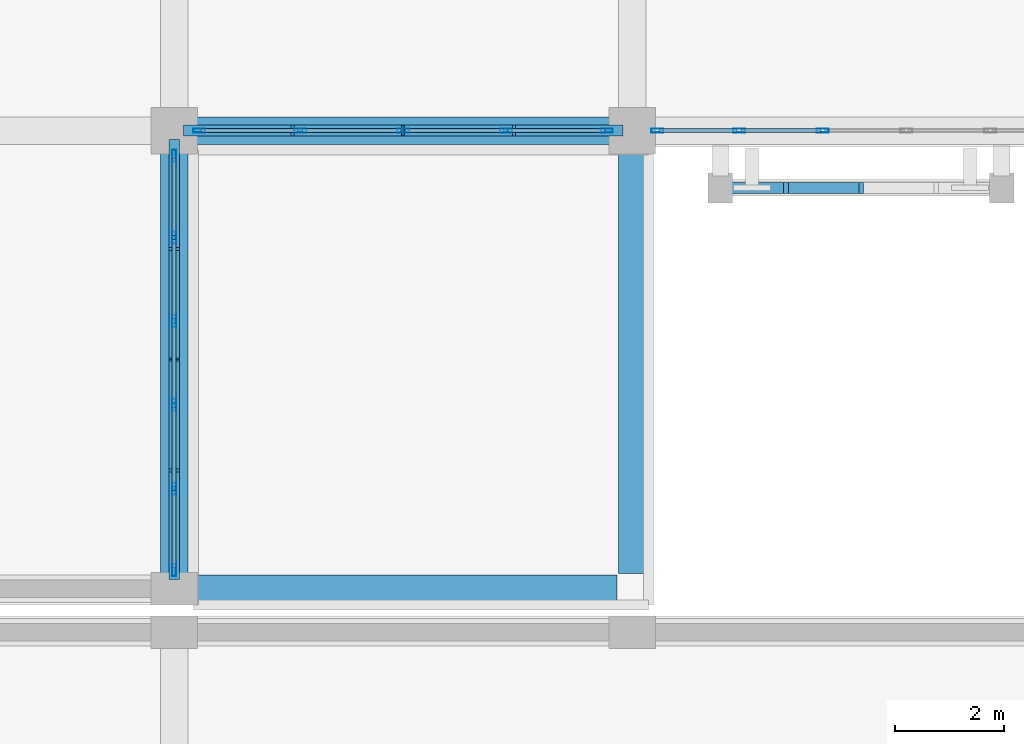
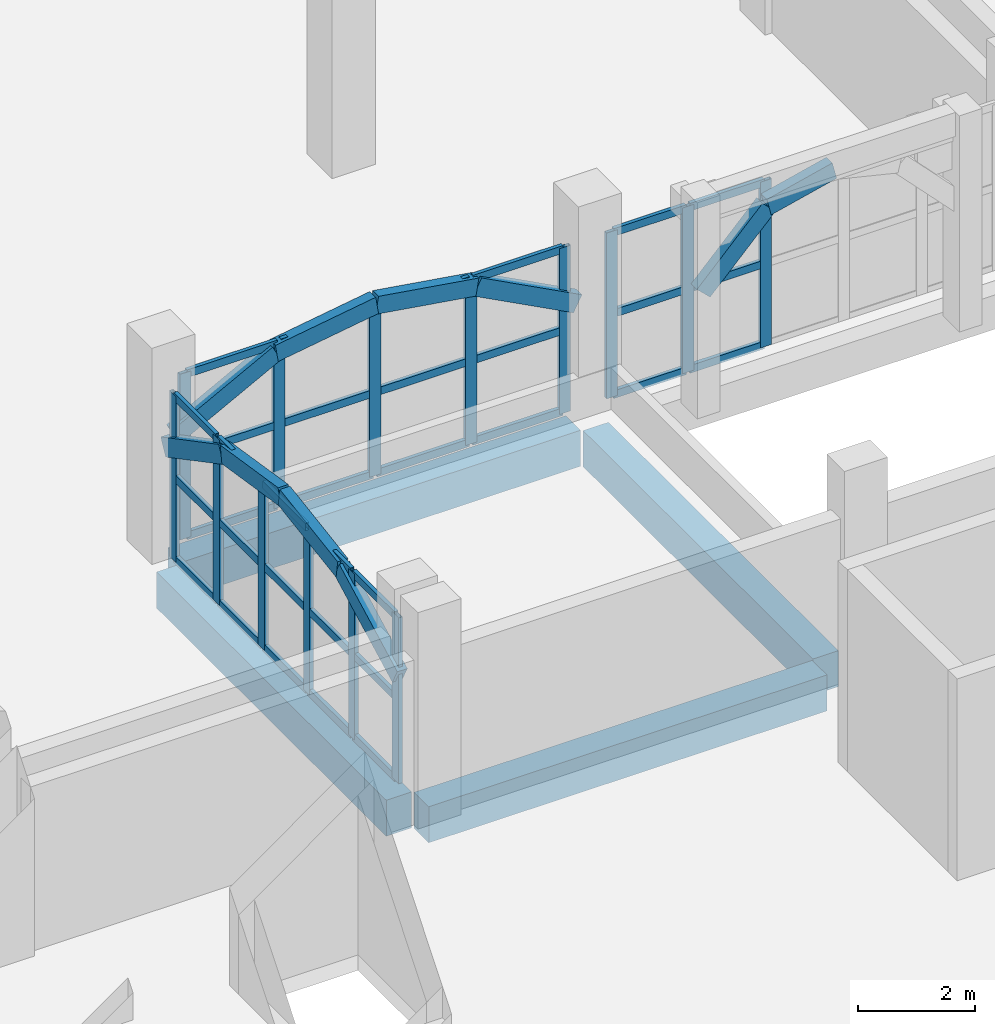
# One storey, part 29 of 137: 57 members, 4 beams, 3 elements without a shape of their own.
"""IFC4 building model written with IfcOpenShell, lengths in metres."""

from ifc_helpers import new_model, si_unit, direction, frame, origin, origin_2d, place, context, subcontext, project, spatial, rectangle, hollow_rectangle, extrude, material, layer, layer_set, material_profile, profile_set, type_object, element, aggregate, save


model = new_model("IFC4")

# Units and contexts
model_context = context("Model", 3, precision=1e-05, world=origin(), true_north=direction((0.0, 1.0)))
body_context = subcontext(model_context, "Body", "Model", "MODEL_VIEW")
ifc_project = project(units=[si_unit("LENGTHUNIT", "METRE"), si_unit("AREAUNIT", "SQUARE_METRE"), si_unit("VOLUMEUNIT", "CUBIC_METRE"), si_unit("PLANEANGLEUNIT", "RADIAN"), si_unit("MASSUNIT", "GRAM", prefix="KILO")], contexts=[model_context])

# Site, building, storey
site_placement = place(None, origin())
site = spatial("IfcSite", under=ifc_project, at=site_placement, CompositionType="ELEMENT")
building_placement = place(site_placement, origin())
building = spatial("IfcBuilding", under=site, at=building_placement, Name="Xazarin Passage Department Store", CompositionType="ELEMENT")
storey_placement = place(building_placement, frame((0.0, 0.0, 5.39990234375)))
storey = spatial("IfcBuildingStorey", under=building, at=storey_placement, Name="L01", CompositionType="ELEMENT", Elevation=5.39990234375)

# Curtain wall, members
ifc_material_1 = material(Name="Bronze anodised aluminium", Category="aluminium")
ifc_layer = layer(ifc_material_1, 0.179931640625)
ifc_layer_set = layer_set([ifc_layer], Name="Bronze anodised aluminium")
curtain_wall_type = type_object("IfcCurtainWallType", Name="ARC-CW-VIT1", PredefinedType="NOTDEFINED", material=ifc_layer_set)
curtain_wall_1_placement = place(storey_placement, origin())
curtain_wall_1 = element("IfcCurtainWall", 1, at=curtain_wall_1_placement, inside=storey, type_object=curtain_wall_type, Name="L01 V1 Curtain Wall 008", PredefinedType="NOTDEFINED")
ifc_material_profile_1 = material_profile(ifc_material_1, hollow_rectangle(XDim=0.074951171875, YDim=0.219970703125, WallThickness=0.0048828125, at=origin_2d()), Name="ALU 75x220")
ifc_profile_set_1 = profile_set([ifc_material_profile_1], Name="Bronze anodised aluminium")
member_type_1 = type_object("IfcMemberType", Name="ARC-CWM-75x220", PredefinedType="MULLION", material=ifc_profile_set_1)
member_1_placement = place(storey_placement, frame((50.862548828125, 59.60009765625, 0.0), z_axis=(0.0, 0.0, 1.0), x_axis=(0.0, 1.0, 0.0)))
member_1 = element("IfcMember", 2, at=member_1_placement, type_object=member_type_1, Name="CW1 mullion 1", PredefinedType="MULLION", context=body_context, shape_type="SweptSolid", body=[
    extrude(hollow_rectangle(XDim=0.074951171875, YDim=0.219970703125, WallThickness=0.0048828125, at=origin_2d()), origin(), (0.0, 0.0, 1.0), 3.4501953125),
])
member_2_placement = place(storey_placement, frame((52.71240234375, 59.60009765625, 0.0), z_axis=(0.0, 0.0, 1.0), x_axis=(0.0, 1.0, 0.0)))
member_2 = element("IfcMember", 3, at=member_2_placement, type_object=member_type_1, Name="CW1 mullion 2", PredefinedType="MULLION", context=body_context, shape_type="SweptSolid", body=[
    extrude(hollow_rectangle(XDim=0.074951171875, YDim=0.219970703125, WallThickness=0.0048828125, at=origin_2d()), origin(), (0.0, 0.0, 1.0), 3.4501953125),
])
member_3_placement = place(storey_placement, frame((54.60009765625, 59.60009765625, 0.0), z_axis=(0.0, 0.0, 1.0), x_axis=(0.0, 1.0, 0.0)))
member_3 = element("IfcMember", 4, at=member_3_placement, type_object=member_type_1, Name="CW1 mullion 3", PredefinedType="MULLION", context=body_context, shape_type="SweptSolid", body=[
    extrude(hollow_rectangle(XDim=0.074951171875, YDim=0.219970703125, WallThickness=0.0048828125, at=origin_2d()), origin(), (0.0, 0.0, 1.0), 3.4501953125),
])
member_4_placement = place(storey_placement, frame((56.487548828125, 59.60009765625, 0.0), z_axis=(0.0, 0.0, 1.0), x_axis=(0.0, 1.0, 0.0)))
member_4 = element("IfcMember", 5, at=member_4_placement, type_object=member_type_1, Name="CW1 mullion 4", PredefinedType="MULLION", context=body_context, shape_type="SweptSolid", body=[
    extrude(hollow_rectangle(XDim=0.074951171875, YDim=0.219970703125, WallThickness=0.0048828125, at=origin_2d()), origin(), (0.0, 0.0, 1.0), 3.4501953125),
])
member_5_placement = place(storey_placement, frame((58.33740234375, 59.60009765625, 0.0), z_axis=(0.0, 0.0, 1.0), x_axis=(0.0, 1.0, 0.0)))
member_5 = element("IfcMember", 6, at=member_5_placement, type_object=member_type_1, Name="CW1 mullion 5", PredefinedType="MULLION", context=body_context, shape_type="SweptSolid", body=[
    extrude(hollow_rectangle(XDim=0.074951171875, YDim=0.219970703125, WallThickness=0.0048828125, at=origin_2d()), origin(), (0.0, 0.0, 1.0), 3.4501953125),
])

curtain_wall_2_placement = place(storey_placement, origin())
curtain_wall_2 = element("IfcCurtainWall", 7, at=curtain_wall_2_placement, inside=storey, type_object=curtain_wall_type, Name="L01 V1 Curtain Wall 009", PredefinedType="NOTDEFINED")
member_6_placement = place(storey_placement, frame((59.262451171875, 59.60009765625, 0.0), z_axis=(0.0, 0.0, 1.0), x_axis=(0.0, 1.0, 0.0)))
member_6 = element("IfcMember", 8, at=member_6_placement, type_object=member_type_1, Name="CW1 mullion 1", PredefinedType="MULLION", context=body_context, shape_type="SweptSolid", body=[
    extrude(hollow_rectangle(XDim=0.074951171875, YDim=0.219970703125, WallThickness=0.0048828125, at=origin_2d()), origin(), (0.0, 0.0, 1.0), 3.4501953125),
])
member_7_placement = place(storey_placement, frame((60.760009765625, 59.60009765625, 0.0), z_axis=(0.0, 0.0, 1.0), x_axis=(0.0, 1.0, 0.0)))
member_7 = element("IfcMember", 9, at=member_7_placement, type_object=member_type_1, Name="CW1 mullion 2", PredefinedType="MULLION", context=body_context, shape_type="SweptSolid", body=[
    extrude(hollow_rectangle(XDim=0.074951171875, YDim=0.219970703125, WallThickness=0.0048828125, at=origin_2d()), origin(), (0.0, 0.0, 1.0), 3.4501953125),
])
member_8_placement = place(storey_placement, frame((62.294921875, 59.60009765625, 0.0), z_axis=(0.0, 0.0, 1.0), x_axis=(0.0, 1.0, 0.0)))
member_8 = element("IfcMember", 10, at=member_8_placement, type_object=member_type_1, Name="CW1 mullion 3", PredefinedType="MULLION", context=body_context, shape_type="SweptSolid", body=[
    extrude(hollow_rectangle(XDim=0.074951171875, YDim=0.219970703125, WallThickness=0.0048828125, at=origin_2d()), origin(), (0.0, 0.0, 1.0), 3.4501953125),
])

curtain_wall_3_placement = place(storey_placement, origin())
curtain_wall_3 = element("IfcCurtainWall", 11, at=curtain_wall_3_placement, inside=storey, type_object=curtain_wall_type, Name="L01 V1 Curtain Wall 025", PredefinedType="NOTDEFINED")
member_9_placement = place(storey_placement, frame((50.39990234375, 51.53759765625, 0.0), z_axis=(0.0, 0.0, 1.0), x_axis=(-1.0, 0.0, 0.0)))
member_9 = element("IfcMember", 12, at=member_9_placement, type_object=member_type_1, Name="CW1 mullion 1", PredefinedType="MULLION", context=body_context, shape_type="SweptSolid", body=[
    extrude(hollow_rectangle(XDim=0.074951171875, YDim=0.219970703125, WallThickness=0.0048828125, at=origin_2d()), origin(), (0.0, 0.0, 1.0), 3.4501953125),
])
member_10_placement = place(storey_placement, frame((50.39990234375, 53.034912109375, 0.0), z_axis=(0.0, 0.0, 1.0), x_axis=(-1.0, 0.0, 0.0)))
member_10 = element("IfcMember", 13, at=member_10_placement, type_object=member_type_1, Name="CW1 mullion 2", PredefinedType="MULLION", context=body_context, shape_type="SweptSolid", body=[
    extrude(hollow_rectangle(XDim=0.074951171875, YDim=0.219970703125, WallThickness=0.0048828125, at=origin_2d()), origin(), (0.0, 0.0, 1.0), 3.4501953125),
])
member_11_placement = place(storey_placement, frame((50.39990234375, 54.570068359375, 0.0), z_axis=(0.0, 0.0, 1.0), x_axis=(-1.0, 0.0, 0.0)))
member_11 = element("IfcMember", 14, at=member_11_placement, type_object=member_type_1, Name="CW1 mullion 3", PredefinedType="MULLION", context=body_context, shape_type="SweptSolid", body=[
    extrude(hollow_rectangle(XDim=0.074951171875, YDim=0.219970703125, WallThickness=0.0048828125, at=origin_2d()), origin(), (0.0, 0.0, 1.0), 3.4501953125),
])
member_12_placement = place(storey_placement, frame((50.39990234375, 56.10498046875, 0.0), z_axis=(0.0, 0.0, 1.0), x_axis=(-1.0, 0.0, 0.0)))
member_12 = element("IfcMember", 15, at=member_12_placement, type_object=member_type_1, Name="CW1 mullion 4", PredefinedType="MULLION", context=body_context, shape_type="SweptSolid", body=[
    extrude(hollow_rectangle(XDim=0.074951171875, YDim=0.219970703125, WallThickness=0.0048828125, at=origin_2d()), origin(), (0.0, 0.0, 1.0), 3.4501953125),
])
member_13_placement = place(storey_placement, frame((50.39990234375, 57.639892578125, 0.0), z_axis=(0.0, 0.0, 1.0), x_axis=(-1.0, 0.0, 0.0)))
member_13 = element("IfcMember", 16, at=member_13_placement, type_object=member_type_1, Name="CW1 mullion 5", PredefinedType="MULLION", context=body_context, shape_type="SweptSolid", body=[
    extrude(hollow_rectangle(XDim=0.074951171875, YDim=0.219970703125, WallThickness=0.0048828125, at=origin_2d()), origin(), (0.0, 0.0, 1.0), 3.4501953125),
])
member_14_placement = place(storey_placement, frame((50.39990234375, 59.137451171875, 0.0), z_axis=(0.0, 0.0, 1.0), x_axis=(-1.0, 0.0, 0.0)))
member_14 = element("IfcMember", 17, at=member_14_placement, type_object=member_type_1, Name="CW1 mullion 6", PredefinedType="MULLION", context=body_context, shape_type="SweptSolid", body=[
    extrude(hollow_rectangle(XDim=0.074951171875, YDim=0.219970703125, WallThickness=0.0048828125, at=origin_2d()), origin(), (0.0, 0.0, 1.0), 3.4501953125),
])

# Member
ifc_material_profile_2 = material_profile(ifc_material_1, hollow_rectangle(XDim=0.074951171875, YDim=0.159912109375, WallThickness=0.00439453125, at=origin_2d()), Name="ALU 75x160")
ifc_profile_set_2 = profile_set([ifc_material_profile_2], Name="Bronze anodised aluminium")
member_type_2 = type_object("IfcMemberType", Name="ARC-CWT-75x160", PredefinedType="USERDEFINED", material=ifc_profile_set_2)
member_15_placement = place(storey_placement, frame((50.89990234375, 59.60009765625, 0.03759765625), z_axis=(1.0, 0.0, 0.0), x_axis=(0.0, 1.0, 0.0)))
member_15 = element("IfcMember", 18, at=member_15_placement, type_object=member_type_2, Name="CW1 transom 1.1", ObjectType="TRANSOM", PredefinedType="USERDEFINED", context=body_context, shape_type="SweptSolid", body=[
    extrude(hollow_rectangle(XDim=0.074951171875, YDim=0.159912109375, WallThickness=0.00439453125, at=origin_2d()), origin(), (0.0, 0.0, 1.0), 1.775146484375),
])

member_16_placement = place(storey_placement, frame((50.89990234375, 59.60009765625, 1.72509765625), z_axis=(1.0, 0.0, 0.0), x_axis=(0.0, 1.0, 0.0)))
member_16 = element("IfcMember", 19, at=member_16_placement, type_object=member_type_2, Name="CW1 transom 1.2", ObjectType="TRANSOM", PredefinedType="USERDEFINED", context=body_context, shape_type="SweptSolid", body=[
    extrude(hollow_rectangle(XDim=0.074951171875, YDim=0.159912109375, WallThickness=0.00439453125, at=origin_2d()), origin(), (0.0, 0.0, 1.0), 1.775146484375),
])

member_17_placement = place(storey_placement, frame((50.89990234375, 59.60009765625, 3.41259765625), z_axis=(1.0, 0.0, 0.0), x_axis=(0.0, 1.0, 0.0)))
member_17 = element("IfcMember", 20, at=member_17_placement, type_object=member_type_2, Name="CW1 transom 1.3", ObjectType="TRANSOM", PredefinedType="USERDEFINED", context=body_context, shape_type="SweptSolid", body=[
    extrude(hollow_rectangle(XDim=0.074951171875, YDim=0.159912109375, WallThickness=0.00439453125, at=origin_2d()), origin(), (0.0, 0.0, 1.0), 1.775146484375),
])

member_18_placement = place(storey_placement, frame((52.75, 59.60009765625, 0.03759765625), z_axis=(1.0, 0.0, 0.0), x_axis=(0.0, 1.0, 0.0)))
member_18 = element("IfcMember", 21, at=member_18_placement, type_object=member_type_2, Name="CW1 transom 2.1", ObjectType="TRANSOM", PredefinedType="USERDEFINED", context=body_context, shape_type="SweptSolid", body=[
    extrude(hollow_rectangle(XDim=0.074951171875, YDim=0.159912109375, WallThickness=0.00439453125, at=origin_2d()), origin(), (0.0, 0.0, 1.0), 1.8125),
])

member_19_placement = place(storey_placement, frame((52.75, 59.60009765625, 1.72509765625), z_axis=(1.0, 0.0, 0.0), x_axis=(0.0, 1.0, 0.0)))
member_19 = element("IfcMember", 22, at=member_19_placement, type_object=member_type_2, Name="CW1 transom 2.2", ObjectType="TRANSOM", PredefinedType="USERDEFINED", context=body_context, shape_type="SweptSolid", body=[
    extrude(hollow_rectangle(XDim=0.074951171875, YDim=0.159912109375, WallThickness=0.00439453125, at=origin_2d()), origin(), (0.0, 0.0, 1.0), 1.8125),
])

member_20_placement = place(storey_placement, frame((52.75, 59.60009765625, 3.41259765625), z_axis=(1.0, 0.0, 0.0), x_axis=(0.0, 1.0, 0.0)))
member_20 = element("IfcMember", 23, at=member_20_placement, type_object=member_type_2, Name="CW1 transom 2.3", ObjectType="TRANSOM", PredefinedType="USERDEFINED", context=body_context, shape_type="SweptSolid", body=[
    extrude(hollow_rectangle(XDim=0.074951171875, YDim=0.159912109375, WallThickness=0.00439453125, at=origin_2d()), origin(), (0.0, 0.0, 1.0), 1.8125),
])

member_21_placement = place(storey_placement, frame((54.637451171875, 59.60009765625, 0.03759765625), z_axis=(1.0, 0.0, 0.0), x_axis=(0.0, 1.0, 0.0)))
member_21 = element("IfcMember", 24, at=member_21_placement, type_object=member_type_2, Name="CW1 transom 3.1", ObjectType="TRANSOM", PredefinedType="USERDEFINED", context=body_context, shape_type="SweptSolid", body=[
    extrude(hollow_rectangle(XDim=0.074951171875, YDim=0.159912109375, WallThickness=0.00439453125, at=origin_2d()), origin(), (0.0, 0.0, 1.0), 1.8125),
])

member_22_placement = place(storey_placement, frame((54.637451171875, 59.60009765625, 1.72509765625), z_axis=(1.0, 0.0, 0.0), x_axis=(0.0, 1.0, 0.0)))
member_22 = element("IfcMember", 25, at=member_22_placement, type_object=member_type_2, Name="CW1 transom 3.2", ObjectType="TRANSOM", PredefinedType="USERDEFINED", context=body_context, shape_type="SweptSolid", body=[
    extrude(hollow_rectangle(XDim=0.074951171875, YDim=0.159912109375, WallThickness=0.00439453125, at=origin_2d()), origin(), (0.0, 0.0, 1.0), 1.8125),
])

member_23_placement = place(storey_placement, frame((54.637451171875, 59.60009765625, 3.41259765625), z_axis=(1.0, 0.0, 0.0), x_axis=(0.0, 1.0, 0.0)))
member_23 = element("IfcMember", 26, at=member_23_placement, type_object=member_type_2, Name="CW1 transom 3.3", ObjectType="TRANSOM", PredefinedType="USERDEFINED", context=body_context, shape_type="SweptSolid", body=[
    extrude(hollow_rectangle(XDim=0.074951171875, YDim=0.159912109375, WallThickness=0.00439453125, at=origin_2d()), origin(), (0.0, 0.0, 1.0), 1.8125),
])

member_24_placement = place(storey_placement, frame((56.52490234375, 59.60009765625, 0.03759765625), z_axis=(1.0, 0.0, 0.0), x_axis=(0.0, 1.0, 0.0)))
member_24 = element("IfcMember", 27, at=member_24_placement, type_object=member_type_2, Name="CW1 transom 4.1", ObjectType="TRANSOM", PredefinedType="USERDEFINED", context=body_context, shape_type="SweptSolid", body=[
    extrude(hollow_rectangle(XDim=0.074951171875, YDim=0.159912109375, WallThickness=0.00439453125, at=origin_2d()), origin(), (0.0, 0.0, 1.0), 1.775146484375),
])

member_25_placement = place(storey_placement, frame((56.52490234375, 59.60009765625, 1.72509765625), z_axis=(1.0, 0.0, 0.0), x_axis=(0.0, 1.0, 0.0)))
member_25 = element("IfcMember", 28, at=member_25_placement, type_object=member_type_2, Name="CW1 transom 4.2", ObjectType="TRANSOM", PredefinedType="USERDEFINED", context=body_context, shape_type="SweptSolid", body=[
    extrude(hollow_rectangle(XDim=0.074951171875, YDim=0.159912109375, WallThickness=0.00439453125, at=origin_2d()), origin(), (0.0, 0.0, 1.0), 1.775146484375),
])

member_26_placement = place(storey_placement, frame((56.52490234375, 59.60009765625, 3.41259765625), z_axis=(1.0, 0.0, 0.0), x_axis=(0.0, 1.0, 0.0)))
member_26 = element("IfcMember", 29, at=member_26_placement, type_object=member_type_2, Name="CW1 transom 4.3", ObjectType="TRANSOM", PredefinedType="USERDEFINED", context=body_context, shape_type="SweptSolid", body=[
    extrude(hollow_rectangle(XDim=0.074951171875, YDim=0.159912109375, WallThickness=0.00439453125, at=origin_2d()), origin(), (0.0, 0.0, 1.0), 1.775146484375),
])

aggregate(curtain_wall_1, [member_1, member_2, member_3, member_4, member_5, member_15, member_16, member_17, member_18, member_19, member_20, member_21, member_22, member_23, member_24, member_25, member_26])

member_27_placement = place(storey_placement, frame((59.300048828125, 59.60009765625, 0.03759765625), z_axis=(1.0, 0.0, 0.0), x_axis=(0.0, 1.0, 0.0)))
member_27 = element("IfcMember", 30, at=member_27_placement, type_object=member_type_2, Name="CW1 transom 1.1", ObjectType="TRANSOM", PredefinedType="USERDEFINED", context=body_context, shape_type="SweptSolid", body=[
    extrude(hollow_rectangle(XDim=0.074951171875, YDim=0.159912109375, WallThickness=0.00439453125, at=origin_2d()), origin(), (0.0, 0.0, 1.0), 1.42236328125),
])

member_28_placement = place(storey_placement, frame((59.300048828125, 59.60009765625, 1.72509765625), z_axis=(1.0, 0.0, 0.0), x_axis=(0.0, 1.0, 0.0)))
member_28 = element("IfcMember", 31, at=member_28_placement, type_object=member_type_2, Name="CW1 transom 1.2", ObjectType="TRANSOM", PredefinedType="USERDEFINED", context=body_context, shape_type="SweptSolid", body=[
    extrude(hollow_rectangle(XDim=0.074951171875, YDim=0.159912109375, WallThickness=0.00439453125, at=origin_2d()), origin(), (0.0, 0.0, 1.0), 1.42236328125),
])

member_29_placement = place(storey_placement, frame((59.300048828125, 59.60009765625, 3.41259765625), z_axis=(1.0, 0.0, 0.0), x_axis=(0.0, 1.0, 0.0)))
member_29 = element("IfcMember", 32, at=member_29_placement, type_object=member_type_2, Name="CW1 transom 1.3", ObjectType="TRANSOM", PredefinedType="USERDEFINED", context=body_context, shape_type="SweptSolid", body=[
    extrude(hollow_rectangle(XDim=0.074951171875, YDim=0.159912109375, WallThickness=0.00439453125, at=origin_2d()), origin(), (0.0, 0.0, 1.0), 1.42236328125),
])

member_30_placement = place(storey_placement, frame((60.797607421875, 59.60009765625, 0.03759765625), z_axis=(1.0, 0.0, 0.0), x_axis=(0.0, 1.0, 0.0)))
member_30 = element("IfcMember", 33, at=member_30_placement, type_object=member_type_2, Name="CW1 transom 2.1", ObjectType="TRANSOM", PredefinedType="USERDEFINED", context=body_context, shape_type="SweptSolid", body=[
    extrude(hollow_rectangle(XDim=0.074951171875, YDim=0.159912109375, WallThickness=0.00439453125, at=origin_2d()), origin(), (0.0, 0.0, 1.0), 1.4599609375),
])

member_31_placement = place(storey_placement, frame((60.797607421875, 59.60009765625, 1.72509765625), z_axis=(1.0, 0.0, 0.0), x_axis=(0.0, 1.0, 0.0)))
member_31 = element("IfcMember", 34, at=member_31_placement, type_object=member_type_2, Name="CW1 transom 2.2", ObjectType="TRANSOM", PredefinedType="USERDEFINED", context=body_context, shape_type="SweptSolid", body=[
    extrude(hollow_rectangle(XDim=0.074951171875, YDim=0.159912109375, WallThickness=0.00439453125, at=origin_2d()), origin(), (0.0, 0.0, 1.0), 1.4599609375),
])

member_32_placement = place(storey_placement, frame((60.797607421875, 59.60009765625, 3.41259765625), z_axis=(1.0, 0.0, 0.0), x_axis=(0.0, 1.0, 0.0)))
member_32 = element("IfcMember", 35, at=member_32_placement, type_object=member_type_2, Name="CW1 transom 2.3", ObjectType="TRANSOM", PredefinedType="USERDEFINED", context=body_context, shape_type="SweptSolid", body=[
    extrude(hollow_rectangle(XDim=0.074951171875, YDim=0.159912109375, WallThickness=0.00439453125, at=origin_2d()), origin(), (0.0, 0.0, 1.0), 1.4599609375),
])

aggregate(curtain_wall_2, [member_6, member_7, member_8, member_27, member_28, member_29, member_30, member_31, member_32])

member_33_placement = place(storey_placement, frame((50.39990234375, 51.574951171875, 0.03759765625), z_axis=(0.0, 1.0, 0.0), x_axis=(-1.0, 0.0, 0.0)))
member_33 = element("IfcMember", 36, at=member_33_placement, type_object=member_type_2, Name="CW1 transom 1.1", ObjectType="TRANSOM", PredefinedType="USERDEFINED", context=body_context, shape_type="SweptSolid", body=[
    extrude(hollow_rectangle(XDim=0.074951171875, YDim=0.159912109375, WallThickness=0.00439453125, at=origin_2d()), origin(), (0.0, 0.0, 1.0), 1.422607421875),
])

member_34_placement = place(storey_placement, frame((50.39990234375, 51.574951171875, 1.72509765625), z_axis=(0.0, 1.0, 0.0), x_axis=(-1.0, 0.0, 0.0)))
member_34 = element("IfcMember", 37, at=member_34_placement, type_object=member_type_2, Name="CW1 transom 1.2", ObjectType="TRANSOM", PredefinedType="USERDEFINED", context=body_context, shape_type="SweptSolid", body=[
    extrude(hollow_rectangle(XDim=0.074951171875, YDim=0.159912109375, WallThickness=0.00439453125, at=origin_2d()), origin(), (0.0, 0.0, 1.0), 1.422607421875),
])

member_35_placement = place(storey_placement, frame((50.39990234375, 51.574951171875, 3.41259765625), z_axis=(0.0, 1.0, 0.0), x_axis=(-1.0, 0.0, 0.0)))
member_35 = element("IfcMember", 38, at=member_35_placement, type_object=member_type_2, Name="CW1 transom 1.3", ObjectType="TRANSOM", PredefinedType="USERDEFINED", context=body_context, shape_type="SweptSolid", body=[
    extrude(hollow_rectangle(XDim=0.074951171875, YDim=0.159912109375, WallThickness=0.00439453125, at=origin_2d()), origin(), (0.0, 0.0, 1.0), 1.422607421875),
])

member_36_placement = place(storey_placement, frame((50.39990234375, 53.072509765625, 0.03759765625), z_axis=(0.0, 1.0, 0.0), x_axis=(-1.0, 0.0, 0.0)))
member_36 = element("IfcMember", 39, at=member_36_placement, type_object=member_type_2, Name="CW1 transom 2.1", ObjectType="TRANSOM", PredefinedType="USERDEFINED", context=body_context, shape_type="SweptSolid", body=[
    extrude(hollow_rectangle(XDim=0.074951171875, YDim=0.159912109375, WallThickness=0.00439453125, at=origin_2d()), origin(), (0.0, 0.0, 1.0), 1.4599609375),
])

member_37_placement = place(storey_placement, frame((50.39990234375, 53.072509765625, 1.72509765625), z_axis=(0.0, 1.0, 0.0), x_axis=(-1.0, 0.0, 0.0)))
member_37 = element("IfcMember", 40, at=member_37_placement, type_object=member_type_2, Name="CW1 transom 2.2", ObjectType="TRANSOM", PredefinedType="USERDEFINED", context=body_context, shape_type="SweptSolid", body=[
    extrude(hollow_rectangle(XDim=0.074951171875, YDim=0.159912109375, WallThickness=0.00439453125, at=origin_2d()), origin(), (0.0, 0.0, 1.0), 1.4599609375),
])

member_38_placement = place(storey_placement, frame((50.39990234375, 53.072509765625, 3.41259765625), z_axis=(0.0, 1.0, 0.0), x_axis=(-1.0, 0.0, 0.0)))
member_38 = element("IfcMember", 41, at=member_38_placement, type_object=member_type_2, Name="CW1 transom 2.3", ObjectType="TRANSOM", PredefinedType="USERDEFINED", context=body_context, shape_type="SweptSolid", body=[
    extrude(hollow_rectangle(XDim=0.074951171875, YDim=0.159912109375, WallThickness=0.00439453125, at=origin_2d()), origin(), (0.0, 0.0, 1.0), 1.4599609375),
])

member_39_placement = place(storey_placement, frame((50.39990234375, 54.607421875, 0.03759765625), z_axis=(0.0, 1.0, 0.0), x_axis=(-1.0, 0.0, 0.0)))
member_39 = element("IfcMember", 42, at=member_39_placement, type_object=member_type_2, Name="CW1 transom 3.1", ObjectType="TRANSOM", PredefinedType="USERDEFINED", context=body_context, shape_type="SweptSolid", body=[
    extrude(hollow_rectangle(XDim=0.074951171875, YDim=0.159912109375, WallThickness=0.00439453125, at=origin_2d()), origin(), (0.0, 0.0, 1.0), 1.4599609375),
])

member_40_placement = place(storey_placement, frame((50.39990234375, 54.607421875, 1.72509765625), z_axis=(0.0, 1.0, 0.0), x_axis=(-1.0, 0.0, 0.0)))
member_40 = element("IfcMember", 43, at=member_40_placement, type_object=member_type_2, Name="CW1 transom 3.2", ObjectType="TRANSOM", PredefinedType="USERDEFINED", context=body_context, shape_type="SweptSolid", body=[
    extrude(hollow_rectangle(XDim=0.074951171875, YDim=0.159912109375, WallThickness=0.00439453125, at=origin_2d()), origin(), (0.0, 0.0, 1.0), 1.4599609375),
])

member_41_placement = place(storey_placement, frame((50.39990234375, 54.607421875, 3.41259765625), z_axis=(0.0, 1.0, 0.0), x_axis=(-1.0, 0.0, 0.0)))
member_41 = element("IfcMember", 44, at=member_41_placement, type_object=member_type_2, Name="CW1 transom 3.3", ObjectType="TRANSOM", PredefinedType="USERDEFINED", context=body_context, shape_type="SweptSolid", body=[
    extrude(hollow_rectangle(XDim=0.074951171875, YDim=0.159912109375, WallThickness=0.00439453125, at=origin_2d()), origin(), (0.0, 0.0, 1.0), 1.4599609375),
])

member_42_placement = place(storey_placement, frame((50.39990234375, 56.142578125, 0.03759765625), z_axis=(0.0, 1.0, 0.0), x_axis=(-1.0, 0.0, 0.0)))
member_42 = element("IfcMember", 45, at=member_42_placement, type_object=member_type_2, Name="CW1 transom 4.1", ObjectType="TRANSOM", PredefinedType="USERDEFINED", context=body_context, shape_type="SweptSolid", body=[
    extrude(hollow_rectangle(XDim=0.074951171875, YDim=0.159912109375, WallThickness=0.00439453125, at=origin_2d()), origin(), (0.0, 0.0, 1.0), 1.4599609375),
])

member_43_placement = place(storey_placement, frame((50.39990234375, 56.142578125, 1.72509765625), z_axis=(0.0, 1.0, 0.0), x_axis=(-1.0, 0.0, 0.0)))
member_43 = element("IfcMember", 46, at=member_43_placement, type_object=member_type_2, Name="CW1 transom 4.2", ObjectType="TRANSOM", PredefinedType="USERDEFINED", context=body_context, shape_type="SweptSolid", body=[
    extrude(hollow_rectangle(XDim=0.074951171875, YDim=0.159912109375, WallThickness=0.00439453125, at=origin_2d()), origin(), (0.0, 0.0, 1.0), 1.4599609375),
])

member_44_placement = place(storey_placement, frame((50.39990234375, 56.142578125, 3.41259765625), z_axis=(0.0, 1.0, 0.0), x_axis=(-1.0, 0.0, 0.0)))
member_44 = element("IfcMember", 47, at=member_44_placement, type_object=member_type_2, Name="CW1 transom 4.3", ObjectType="TRANSOM", PredefinedType="USERDEFINED", context=body_context, shape_type="SweptSolid", body=[
    extrude(hollow_rectangle(XDim=0.074951171875, YDim=0.159912109375, WallThickness=0.00439453125, at=origin_2d()), origin(), (0.0, 0.0, 1.0), 1.4599609375),
])

member_45_placement = place(storey_placement, frame((50.39990234375, 57.677490234375, 0.03759765625), z_axis=(0.0, 1.0, 0.0), x_axis=(-1.0, 0.0, 0.0)))
member_45 = element("IfcMember", 48, at=member_45_placement, type_object=member_type_2, Name="CW1 transom 5.1", ObjectType="TRANSOM", PredefinedType="USERDEFINED", context=body_context, shape_type="SweptSolid", body=[
    extrude(hollow_rectangle(XDim=0.074951171875, YDim=0.159912109375, WallThickness=0.00439453125, at=origin_2d()), origin(), (0.0, 0.0, 1.0), 1.422607421875),
])

member_46_placement = place(storey_placement, frame((50.39990234375, 57.677490234375, 1.72509765625), z_axis=(0.0, 1.0, 0.0), x_axis=(-1.0, 0.0, 0.0)))
member_46 = element("IfcMember", 49, at=member_46_placement, type_object=member_type_2, Name="CW1 transom 5.2", ObjectType="TRANSOM", PredefinedType="USERDEFINED", context=body_context, shape_type="SweptSolid", body=[
    extrude(hollow_rectangle(XDim=0.074951171875, YDim=0.159912109375, WallThickness=0.00439453125, at=origin_2d()), origin(), (0.0, 0.0, 1.0), 1.422607421875),
])

member_47_placement = place(storey_placement, frame((50.39990234375, 57.677490234375, 3.41259765625), z_axis=(0.0, 1.0, 0.0), x_axis=(-1.0, 0.0, 0.0)))
member_47 = element("IfcMember", 50, at=member_47_placement, type_object=member_type_2, Name="CW1 transom 5.3", ObjectType="TRANSOM", PredefinedType="USERDEFINED", context=body_context, shape_type="SweptSolid", body=[
    extrude(hollow_rectangle(XDim=0.074951171875, YDim=0.159912109375, WallThickness=0.00439453125, at=origin_2d()), origin(), (0.0, 0.0, 1.0), 1.422607421875),
])

aggregate(curtain_wall_3, [member_9, member_10, member_11, member_12, member_13, member_14, member_33, member_34, member_35, member_36, member_37, member_38, member_39, member_40, member_41, member_42, member_43, member_44, member_45, member_46, member_47])

# Beams
ifc_material_2 = material(Name="Concrete C35/45", Category="concrete")
ifc_material_profile_3 = material_profile(ifc_material_2, rectangle(XDim=0.5, YDim=0.75, at=origin_2d()), Name="RC 500x750")
ifc_profile_set_3 = profile_set([ifc_material_profile_3], Name="Concrete C35/45")
beam_type = type_object("IfcBeamType", Name="STR-BM-SP500x750", PredefinedType="SPANDREL", material=ifc_profile_set_3)
for number, where, z_axis, x_axis, name in (
    (51, (50.679931640625, 51.199951171875, -0.6748046875), (1.0, 0.0, 0.0), (0.0, 1.0, 0.0), "L01 Grid Beam H/7-8"),
    (52, (50.679931640625, 59.60009765625, -0.6748046875), (1.0, 0.0, 0.0), (0.0, 1.0, 0.0), "L01 Grid Beam J/7-8"),
    (53, (50.39990234375, 51.47998046875, -0.6748046875), (0.0, 1.0, 0.0), (-1.0, 0.0, 0.0), "L01 Grid Beam 7/H-J"),
    (54, (58.800048828125, 51.47998046875, -0.6748046875), (0.0, 1.0, 0.0), (-1.0, 0.0, 0.0), "L01 Grid Beam 8/H-J"),
):
    element("IfcBeam", number, at=place(storey_placement, frame(where, z_axis=z_axis, x_axis=x_axis)), inside=storey, type_object=beam_type, Name=name, PredefinedType="SPANDREL", context=body_context, shape_type="SweptSolid", body=[
        extrude(rectangle(XDim=0.5, YDim=0.75, at=origin_2d()), origin(), (0.0, 0.0, 1.0), 7.840087890625),
    ])

# Members
ifc_material_3 = material(Name="Concrete C40/50", Category="concrete")
ifc_material_profile_4 = material_profile(ifc_material_3, rectangle(XDim=0.199951171875, YDim=0.360107421875, at=origin_2d()), Name="RC 200x360")
ifc_profile_set_4 = profile_set([ifc_material_profile_4], Name="Concrete C40/50")
member_type_3 = type_object("IfcMemberType", Name="STR-MEM-ARC360", PredefinedType="CHORD", material=ifc_profile_set_4)
member_48_placement = place(storey_placement, frame((60.419921875, 58.550048828125, 2.43017578125), z_axis=(0.693460080602, 0.0, 0.720495049679), x_axis=(0.0, 1.0, 0.0)))
element("IfcMember", 55, at=member_48_placement, inside=storey, type_object=member_type_3, Name="L01 V1 Pierced Lattice Curved Arch 006.1", PredefinedType="CHORD", context=body_context, shape_type="SweptSolid", body=[
    extrude(rectangle(XDim=0.199951171875, YDim=0.360107421875, at=origin_2d()), origin(), (0.0, 0.0, 1.0), 1.8603515625),
])
member_49_placement = place(storey_placement, frame((61.7099609375, 58.550048828125, 3.7705078125), z_axis=(0.972393983317, 0.0, 0.233345111818), x_axis=(0.0, 1.0, 0.0)))
element("IfcMember", 56, at=member_49_placement, inside=storey, type_object=member_type_3, Name="L01 V1 Pierced Lattice Curved Arch 006.2", PredefinedType="CHORD", context=body_context, shape_type="SweptSolid", body=[
    extrude(rectangle(XDim=0.199951171875, YDim=0.360107421875, at=origin_2d()), origin(), (0.0, 0.0, 1.0), 1.32666015625),
])
member_50_placement = place(storey_placement, frame((50.64990234375, 59.60009765625, 2.22998046875), z_axis=(0.88473311603, 0.0, 0.466097965454), x_axis=(0.0, 1.0, 0.0)))
element("IfcMember", 57, at=member_50_placement, inside=storey, type_object=member_type_3, Name="L01 V1 Upper Setback Pierced Arch 001.1", PredefinedType="CHORD", context=body_context, shape_type="SweptSolid", body=[
    extrude(rectangle(XDim=0.199951171875, YDim=0.360107421875, at=origin_2d()), origin(), (0.0, 0.0, 1.0), 2.232421875),
])
member_51_placement = place(storey_placement, frame((52.625, 59.60009765625, 3.2705078125), z_axis=(0.987938581312, 0.0, 0.154846244883), x_axis=(0.0, 1.0, 0.0)))
element("IfcMember", 58, at=member_51_placement, inside=storey, type_object=member_type_3, Name="L01 V1 Upper Setback Pierced Arch 001.2", PredefinedType="CHORD", context=body_context, shape_type="SweptSolid", body=[
    extrude(rectangle(XDim=0.199951171875, YDim=0.360107421875, at=origin_2d()), origin(), (0.0, 0.0, 1.0), 1.999267578125),
])
member_52_placement = place(storey_placement, frame((54.60009765625, 59.60009765625, 3.580078125), z_axis=(0.987935652704, 0.0, -0.154864928623), x_axis=(0.0, 1.0, 0.0)))
element("IfcMember", 59, at=member_52_placement, inside=storey, type_object=member_type_3, Name="L01 V1 Upper Setback Pierced Arch 001.3", PredefinedType="CHORD", context=body_context, shape_type="SweptSolid", body=[
    extrude(rectangle(XDim=0.199951171875, YDim=0.360107421875, at=origin_2d()), origin(), (0.0, 0.0, 1.0), 1.9990234375),
])
for number, where, z_axis, x_axis, name in (
    (60, (56.574951171875, 59.60009765625, 3.2705078125), (0.88473311603, 0.0, -0.466097965454), (0.0, 1.0, 0.0), "L01 V1 Upper Setback Pierced Arch 001.4"),
    (61, (50.39990234375, 51.449951171875, 2.22998046875), (0.0, 0.88473311603, 0.466097965454), (-1.0, 0.0, 0.0), "L01 V1 Upper Setback Pierced Arch 002.1"),
):
    element("IfcMember", number, at=place(storey_placement, frame(where, z_axis=z_axis, x_axis=x_axis)), inside=storey, type_object=member_type_3, Name=name, PredefinedType="CHORD", context=body_context, shape_type="SweptSolid", body=[
        extrude(rectangle(XDim=0.199951171875, YDim=0.360107421875, at=origin_2d()), origin(), (0.0, 0.0, 1.0), 2.232421875),
    ])
member_53_placement = place(storey_placement, frame((50.39990234375, 53.425048828125, 3.2705078125), z_axis=(0.0, 0.987935652704, 0.154864928623), x_axis=(-1.0, 0.0, 0.0)))
element("IfcMember", 62, at=member_53_placement, inside=storey, type_object=member_type_3, Name="L01 V1 Upper Setback Pierced Arch 002.2", PredefinedType="CHORD", context=body_context, shape_type="SweptSolid", body=[
    extrude(rectangle(XDim=0.199951171875, YDim=0.360107421875, at=origin_2d()), origin(), (0.0, 0.0, 1.0), 1.9990234375),
])
member_54_placement = place(storey_placement, frame((50.39990234375, 55.39990234375, 3.580078125), z_axis=(0.0, 0.987938581312, -0.154846244883), x_axis=(-1.0, 0.0, 0.0)))
element("IfcMember", 63, at=member_54_placement, inside=storey, type_object=member_type_3, Name="L01 V1 Upper Setback Pierced Arch 002.3", PredefinedType="CHORD", context=body_context, shape_type="SweptSolid", body=[
    extrude(rectangle(XDim=0.199951171875, YDim=0.360107421875, at=origin_2d()), origin(), (0.0, 0.0, 1.0), 1.999267578125),
])
member_55_placement = place(storey_placement, frame((50.39990234375, 57.375, 3.2705078125), z_axis=(0.0, 0.88473311603, -0.466097965454), x_axis=(-1.0, 0.0, 0.0)))
element("IfcMember", 64, at=member_55_placement, inside=storey, type_object=member_type_3, Name="L01 V1 Upper Setback Pierced Arch 002.4", PredefinedType="CHORD", context=body_context, shape_type="SweptSolid", body=[
    extrude(rectangle(XDim=0.199951171875, YDim=0.360107421875, at=origin_2d()), origin(), (0.0, 0.0, 1.0), 2.232421875),
])

save(model, "model.ifc")
